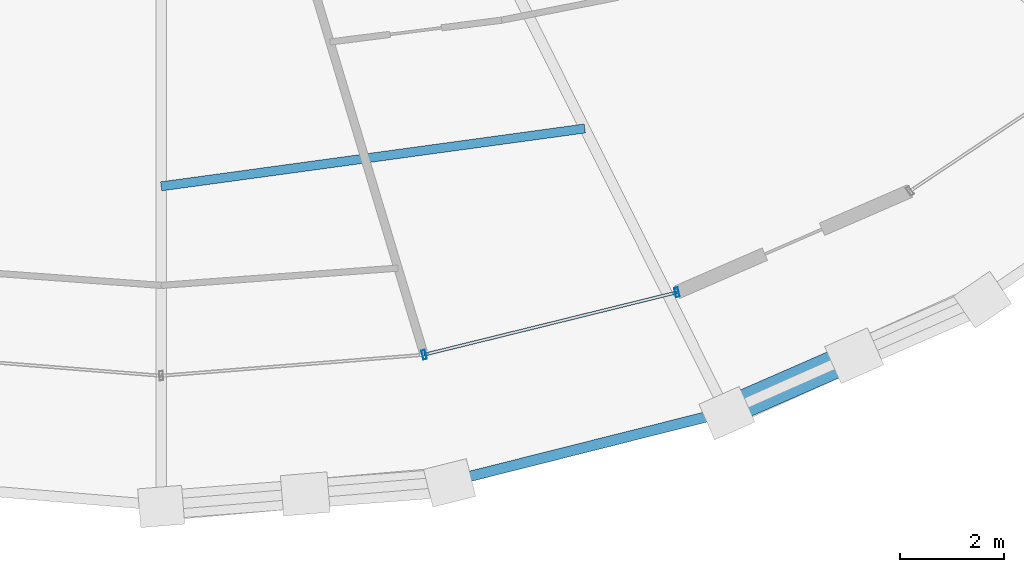
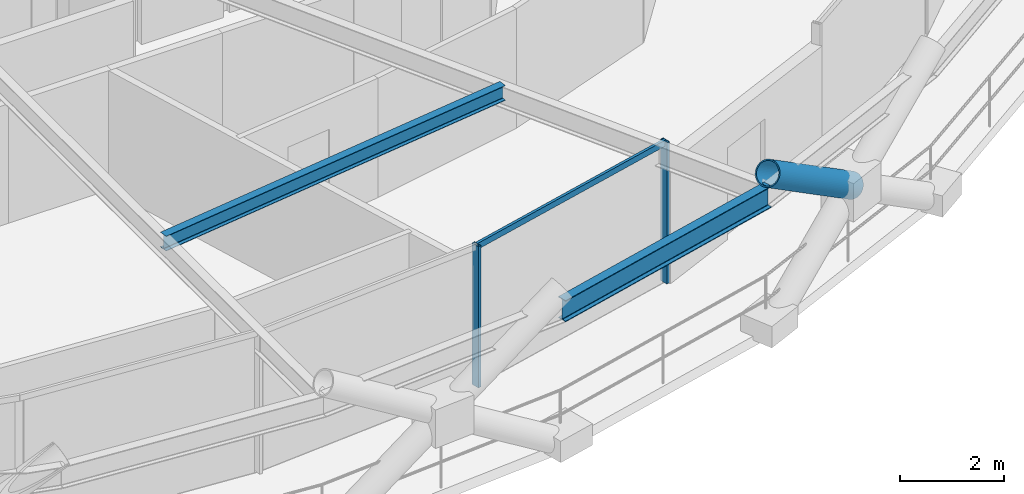
# One storey, part 4 of 21: 4 members, 2 beams, 1 element without a shape of its own.
"""IFC4 building model written with IfcOpenShell, lengths in metres."""

from ifc_helpers import new_model, si_unit, direction, frame, origin, origin_2d, place, context, subcontext, project, spatial, hollow_rectangle, hollow_circle, i_section, extrude, material, layer, layer_set, material_profile, profile_set, type_object, element, aggregate, save


model = new_model("IFC4")

# Units and contexts
model_context = context("Model", 3, precision=1e-05, world=origin(), true_north=direction((0.0, 1.0)))
body_context = subcontext(model_context, "Body", "Model", "MODEL_VIEW")
ifc_project = project(units=[si_unit("LENGTHUNIT", "METRE"), si_unit("AREAUNIT", "SQUARE_METRE"), si_unit("VOLUMEUNIT", "CUBIC_METRE"), si_unit("PLANEANGLEUNIT", "RADIAN"), si_unit("MASSUNIT", "GRAM", prefix="KILO")], contexts=[model_context])

# Site, building, storey
site_placement = place(None, origin())
site = spatial("IfcSite", under=ifc_project, at=site_placement, CompositionType="ELEMENT")
building_placement = place(site_placement, origin())
building = spatial("IfcBuilding", under=site, at=building_placement, Name="Veldorina Hangang Commons", CompositionType="ELEMENT")
storey_placement = place(building_placement, frame((0.0, 0.0, 135.199951171875)))
storey = spatial("IfcBuildingStorey", under=building, at=storey_placement, Name="L34", CompositionType="ELEMENT", Elevation=135.199951171875)

# Beams
ifc_material_1 = material(Name="Steel SM355-TMC", Category="steel")
ifc_material_profile_1 = material_profile(ifc_material_1, i_section(OverallWidth=0.175048828125, OverallDepth=0.35009765625, WebThickness=0.007080078125, FlangeThickness=0.010986328125, FilletRadius=0.012939453125, at=origin_2d()), Name="H-350x175x7x11")
ifc_profile_set_1 = profile_set([ifc_material_profile_1], Name="Steel SM355-TMC")
beam_type_1 = type_object("IfcBeamType", Name="BM-JST350", PredefinedType="JOIST", material=ifc_profile_set_1)
beam_1_placement = place(storey_placement, frame((32.0, 6.521484375, 3.175048828125), z_axis=(0.990807803881, 0.135277107334, 0.0), x_axis=(-0.135277107334, 0.990807803881, 0.0)))
element("IfcBeam", 1, at=beam_1_placement, inside=storey, type_object=beam_type_1, Name="L34 secondary floor joist 13", PredefinedType="JOIST", context=body_context, shape_type="SweptSolid", body=[
    extrude(i_section(OverallWidth=0.175048828125, OverallDepth=0.35009765625, WebThickness=0.007080078125, FlangeThickness=0.010986328125, FilletRadius=0.012939453125, at=origin_2d()), origin(), (0.0, 0.0, 1.0), 8.2421875),
])
ifc_material_2 = material(Name="Steel SM420-TMC", Category="steel")
ifc_material_profile_2 = material_profile(ifc_material_2, i_section(OverallWidth=0.199951171875, OverallDepth=0.5, WebThickness=0.010009765625, FlangeThickness=0.01611328125, FilletRadius=0.01611328125, at=origin_2d()), Name="H-500x200x10x16")
ifc_profile_set_2 = profile_set([ifc_material_profile_2], Name="Steel SM420-TMC")
beam_type_2 = type_object("IfcBeamType", Name="BM-RB500", PredefinedType="BEAM", material=ifc_profile_set_2)
beam_2_placement = place(storey_placement, frame((37.552978515625, 0.8291015625, 3.10009765625), z_axis=(0.969744776856, 0.244121010487, 0.0), x_axis=(-0.244121010487, 0.969744776856, 0.0)))
element("IfcBeam", 2, at=beam_2_placement, inside=storey, type_object=beam_type_2, Name="L34 perimeter hoop ring beam 25", PredefinedType="BEAM", context=body_context, shape_type="SweptSolid", body=[
    extrude(i_section(OverallWidth=0.199951171875, OverallDepth=0.5, WebThickness=0.010009765625, FlangeThickness=0.01611328125, FilletRadius=0.01611328125, at=origin_2d()), origin(), (0.0, 0.0, 1.0), 5.50634765625),
])

# Curtain wall, members
ifc_material_3 = material(Name="Glass Low-E Triple IGU", Category="glass")
ifc_layer = layer(ifc_material_3, 0.179931640625)
ifc_layer_set = layer_set([ifc_layer], Name="Glass Low-E Triple IGU")
curtain_wall_type = type_object("IfcCurtainWallType", Name="CW-SYS-Z2", PredefinedType="NOTDEFINED", material=ifc_layer_set)
curtain_wall_placement = place(storey_placement, origin())
curtain_wall = element("IfcCurtainWall", 3, at=curtain_wall_placement, inside=storey, type_object=curtain_wall_type, Name="L34 unitised curtain wall CW-L34-R1", PredefinedType="NOTDEFINED")
ifc_material_4 = material(Name="Aluminium Anodized AA6063-T6", Category="aluminium")
ifc_material_profile_3 = material_profile(ifc_material_4, hollow_rectangle(XDim=0.070068359375, YDim=0.179931640625, WallThickness=0.00390625, at=origin_2d()), Name="ALU-RHS-180x70x4")
ifc_profile_set_3 = profile_set([ifc_material_profile_3], Name="Aluminium Anodized AA6063-T6")
member_type_1 = type_object("IfcMemberType", Name="CW-MUL-180", PredefinedType="MULLION", material=ifc_profile_set_3)
member_1_placement = place(storey_placement, frame((37.068603515625, 3.275146484375, 0.0), z_axis=(0.0, 0.0, 1.0), x_axis=(0.970888136612, 0.239533350884, 0.0)))
member_1 = element("IfcMember", 4, at=member_1_placement, type_object=member_type_1, Name="CW-L34-R1 vertical mullion 3", PredefinedType="MULLION", context=body_context, shape_type="SweptSolid", body=[
    extrude(hollow_rectangle(XDim=0.070068359375, YDim=0.179931640625, WallThickness=0.00390625, at=origin_2d()), origin(), (0.0, 0.0, 1.0), 3.31005859375),
])
member_2_placement = place(storey_placement, frame((41.942626953125, 4.4775390625, 0.0), z_axis=(0.0, 0.0, 1.0), x_axis=(-0.970888136612, -0.239533350884, 0.0)))
member_2 = element("IfcMember", 5, at=member_2_placement, type_object=member_type_1, Name="CW-L34-R1 vertical mullion 4", PredefinedType="MULLION", context=body_context, shape_type="SweptSolid", body=[
    extrude(hollow_rectangle(XDim=0.070068359375, YDim=0.179931640625, WallThickness=0.00390625, at=origin_2d()), origin(), (0.0, 0.0, 1.0), 3.31005859375),
])
ifc_material_profile_4 = material_profile(ifc_material_4, hollow_rectangle(XDim=0.06005859375, YDim=0.139892578125, WallThickness=0.00341796875, at=origin_2d()), Name="ALU-RHS-140x60x3.5")
ifc_profile_set_4 = profile_set([ifc_material_profile_4], Name="Aluminium Anodized AA6063-T6")
member_type_2 = type_object("IfcMemberType", Name="CW-TRN-140", PredefinedType="USERDEFINED", material=ifc_profile_set_4)
member_3_placement = place(storey_placement, frame((37.068603515625, 3.275146484375, 3.27001953125), z_axis=(0.970893026024, 0.239513532016, 0.0), x_axis=(-0.239513532016, 0.970893026024, 0.0)))
member_3 = element("IfcMember", 6, at=member_3_placement, type_object=member_type_2, Name="CW-L34-R1 facet 4 transom 1", ObjectType="TRANSOM", PredefinedType="USERDEFINED", context=body_context, shape_type="SweptSolid", body=[
    extrude(hollow_rectangle(XDim=0.06005859375, YDim=0.139892578125, WallThickness=0.00341796875, at=origin_2d()), origin(), (0.0, 0.0, 1.0), 5.020263671875),
])
aggregate(curtain_wall, [member_1, member_2, member_3])

# Member
ifc_material_profile_5 = material_profile(ifc_material_2, hollow_circle(Radius=0.27490234375, WallThickness=0.028076171875, at=origin_2d()), Name="CHS-550x28")
ifc_profile_set_5 = profile_set([ifc_material_profile_5], Name="Steel SM420-TMC")
member_type_3 = type_object("IfcMemberType", Name="DG-CHS550", PredefinedType="BRACE", material=ifc_profile_set_5)
member_4_placement = place(storey_placement, frame((45.360595703125, 3.255615234375, 1.80126953125), z_axis=(-0.762302200067, -0.332782053538, 0.555113916791), x_axis=(0.400086947544, -0.916477187062, 0.0)))
element("IfcMember", 7, at=member_4_placement, inside=storey, type_object=member_type_3, Name="L34 split perimeter diagrid upper brace 27", PredefinedType="BRACE", context=body_context, shape_type="SweptSolid", body=[
    extrude(hollow_circle(Radius=0.27490234375, WallThickness=0.028076171875, at=origin_2d()), origin(), (0.0, 0.0, 1.0), 3.240478515625),
])

save(model, "model.ifc")
